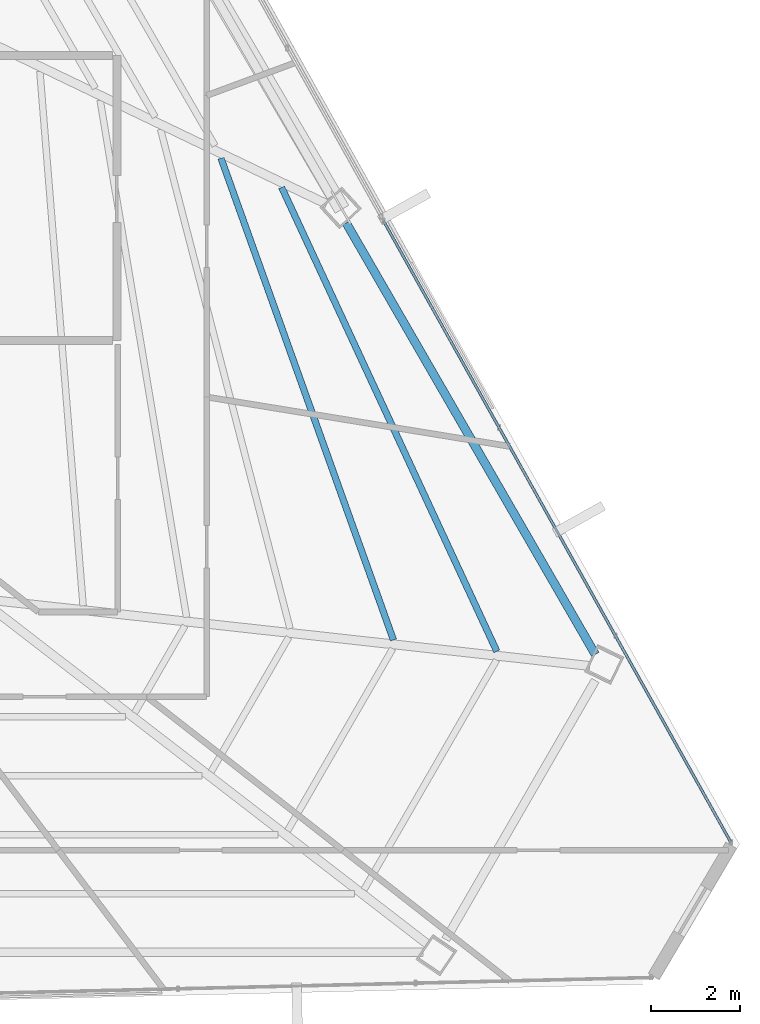
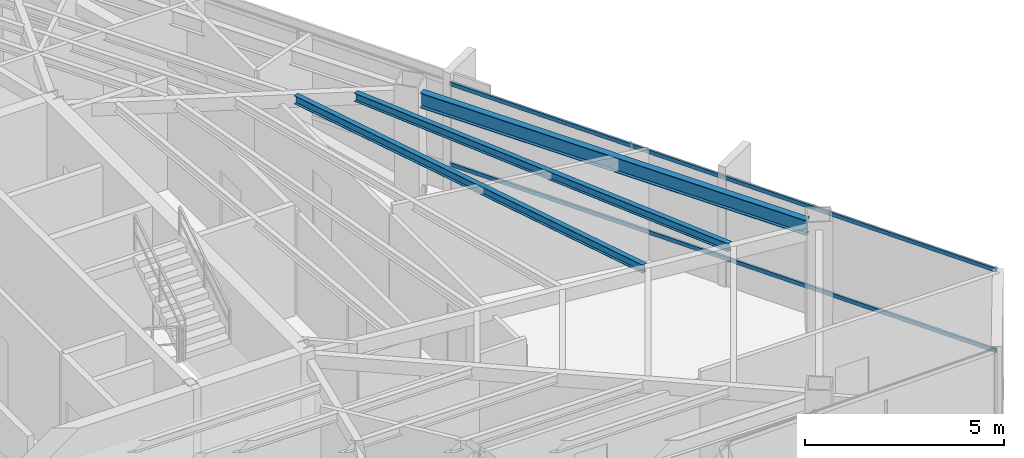
# One storey, part 24 of 44: 3 beams, 2 members, 1 element without a shape of its own.
"""IFC4 building model written with IfcOpenShell, lengths in metres."""

from ifc_helpers import new_model, si_unit, direction, frame, origin, origin_2d, place, context, subcontext, project, spatial, hollow_rectangle, i_section, extrude, source, transform, mapped, material, material_profile, profile_set, type_object, type_shapes, element, aggregate, save


model = new_model("IFC4")

# Units and contexts
model_context = context("Model", 3, precision=1e-05, world=origin(), true_north=direction((0.0, 1.0)))
body_context = subcontext(model_context, "Body", "Model", "MODEL_VIEW")
ifc_project = project(units=[si_unit("LENGTHUNIT", "METRE"), si_unit("AREAUNIT", "SQUARE_METRE"), si_unit("VOLUMEUNIT", "CUBIC_METRE"), si_unit("PLANEANGLEUNIT", "RADIAN"), si_unit("MASSUNIT", "GRAM", prefix="KILO")], contexts=[model_context])

# Site, building, storey
site_placement = place(None, origin())
site = spatial("IfcSite", under=ifc_project, at=site_placement, CompositionType="ELEMENT")
building_placement = place(site_placement, origin())
building = spatial("IfcBuilding", under=site, at=building_placement, Name="Caelisora Broadcast Tower", CompositionType="ELEMENT")
storey_placement = place(building_placement, frame((0.0, 0.0, 259.050048828125)))
storey = spatial("IfcBuildingStorey", under=building, at=storey_placement, Name="L68", CompositionType="ELEMENT", Elevation=259.050048828125)

# Beams
ifc_material_1 = material(Name="Steel Grade 350 (AS/NZS 3679.1)", Category="steel")
ifc_material_profile_1 = material_profile(ifc_material_1, i_section(OverallWidth=0.19091796875, OverallDepth=0.46044921875, WebThickness=0.010009765625, FlangeThickness=0.01611328125, at=origin_2d()), Name="Steel Grade 350 (AS/NZS 3679.1)")
ifc_profile_set_1 = profile_set([ifc_material_profile_1], Name="Steel Grade 350 (AS/NZS 3679.1)")
beam_type_1 = type_object("IfcBeamType", Name="PG06", PredefinedType="BEAM", material=ifc_profile_set_1)
shared_shape_1 = source(origin(), body_context, "Body", "SweptSolid", [
    extrude(i_section(OverallWidth=0.19091796875, OverallDepth=0.46044921875, WebThickness=0.010009765625, FlangeThickness=0.01611328125, at=origin_2d()), origin(), (0.0, 0.0, 1.0), 11.18994140625),
])
type_shapes(beam_type_1, [shared_shape_1])
beam_1_placement = place(storey_placement, frame((59.3251953125, 16.150146484375, 3.169677734375), z_axis=(-0.500003857942, 0.866023176389, 0.0), x_axis=(-0.866023176389, -0.500003857942, 0.0)))
element("IfcBeam", 1, at=beam_1_placement, inside=storey, type_object=beam_type_1, Name="L68 beam PG06", PredefinedType="BEAM", context=body_context, shape_type="MappedRepresentation", body=[
    mapped(shared_shape_1, transform((0.0, 0.0, 0.0), scale=1.0)),
])
ifc_material_profile_2 = material_profile(ifc_material_1, i_section(OverallWidth=0.14599609375, OverallDepth=0.256103515625, WebThickness=0.00634765625, FlangeThickness=0.010986328125, at=origin_2d()), Name="Steel Grade 350 (AS/NZS 3679.1)")
ifc_profile_set_2 = profile_set([ifc_material_profile_2], Name="Steel Grade 350 (AS/NZS 3679.1)")
beam_type_2 = type_object("IfcBeamType", Name="SB04", PredefinedType="JOIST", material=ifc_profile_set_2)
shared_shape_2 = source(origin(), body_context, "Body", "SweptSolid", [
    extrude(i_section(OverallWidth=0.14599609375, OverallDepth=0.256103515625, WebThickness=0.00634765625, FlangeThickness=0.010986328125, at=origin_2d()), origin(), (0.0, 0.0, 1.0), 11.485595703125),
])
beam_2_placement = place(storey_placement, frame((57.114013671875, 16.218017578125, 3.27197265625), z_axis=(-0.420635987439, 0.907229500221, 0.0), x_axis=(-0.907229500221, -0.420635987439, 0.0)))
element("IfcBeam", 2, at=beam_2_placement, inside=storey, type_object=beam_type_2, Name="L68 beam SB04", PredefinedType="JOIST", context=body_context, shape_type="MappedRepresentation", body=[
    mapped(shared_shape_2, transform((0.0, 0.0, 0.0), scale=1.0)),
])
shared_shape_3 = source(origin(), body_context, "Body", "SweptSolid", [
    extrude(i_section(OverallWidth=0.14599609375, OverallDepth=0.256103515625, WebThickness=0.00634765625, FlangeThickness=0.010986328125, at=origin_2d()), origin(), (0.0, 0.0, 1.0), 11.489990234375),
])
type_shapes(beam_type_2, [shared_shape_2, shared_shape_3])
beam_3_placement = place(storey_placement, frame((54.79296875, 16.473388671875, 3.27197265625), z_axis=(-0.336977037597, 0.941512865622, 0.0), x_axis=(-0.941512865622, -0.336977037597, 0.0)))
element("IfcBeam", 3, at=beam_3_placement, inside=storey, type_object=beam_type_2, Name="L68 beam SB04", PredefinedType="JOIST", context=body_context, shape_type="MappedRepresentation", body=[
    mapped(shared_shape_3, transform((0.0, 0.0, 0.0), scale=1.0)),
])

# Curtain wall, members
ifc_material_2 = material(Name="Unitised Aluminium and Low-E Glass Curtain Wall", Category="glass")
curtain_wall_type = type_object("IfcCurtainWallType", Name="CW-Z5", PredefinedType="NOTDEFINED", material=ifc_material_2)
curtain_wall_placement = place(storey_placement, origin())
curtain_wall = element("IfcCurtainWall", 4, at=curtain_wall_placement, inside=storey, type_object=curtain_wall_type, Name="L68 curtain wall CW-Z5", PredefinedType="NOTDEFINED")
ifc_material_3 = material(Name="Aluminium 6063-T6 Anodised Terracotta Bronze", Category="aluminium")
ifc_material_profile_3 = material_profile(ifc_material_3, hollow_rectangle(XDim=0.06005859375, YDim=0.1201171875, WallThickness=0.0029296875, at=origin_2d()), Name="Aluminium 6063-T6 Anodised Terracotta Bronze")
ifc_profile_set_3 = profile_set([ifc_material_profile_3], Name="Aluminium 6063-T6 Anodised Terracotta Bronze")
member_type = type_object("IfcMemberType", Name="CWT-03", PredefinedType="USERDEFINED", material=ifc_profile_set_3)
shared_shape_4 = source(origin(), body_context, "Body", "SweptSolid", [
    extrude(hollow_rectangle(XDim=0.06005859375, YDim=0.1201171875, WallThickness=0.0029296875, at=origin_2d()), origin(), (0.0, 0.0, 1.0), 15.97998046875),
])
type_shapes(member_type, [shared_shape_4])
member_1_placement = place(storey_placement, frame((54.5712890625, 25.881591796875, 0.849853515625), z_axis=(0.487886758504, -0.872906931394, 0.0), x_axis=(0.872906931394, 0.487886758504, 0.0)))
member_1 = element("IfcMember", 5, at=member_1_placement, type_object=member_type, Name="L68-CW-B03 transom #1", ObjectType="TRANSOM", PredefinedType="USERDEFINED", context=body_context, shape_type="MappedRepresentation", body=[
    mapped(shared_shape_4, transform((0.0, 0.0, 0.0), scale=1.0)),
])
member_2_placement = place(storey_placement, frame((54.5712890625, 25.881591796875, 3.320068359375), z_axis=(0.487886758504, -0.872906931394, 0.0), x_axis=(0.872906931394, 0.487886758504, 0.0)))
member_2 = element("IfcMember", 6, at=member_2_placement, type_object=member_type, Name="L68-CW-B03 transom #2", ObjectType="TRANSOM", PredefinedType="USERDEFINED", context=body_context, shape_type="MappedRepresentation", body=[
    mapped(shared_shape_4, transform((0.0, 0.0, 0.0), scale=1.0)),
])
aggregate(curtain_wall, [member_1, member_2])

save(model, "model.ifc")
